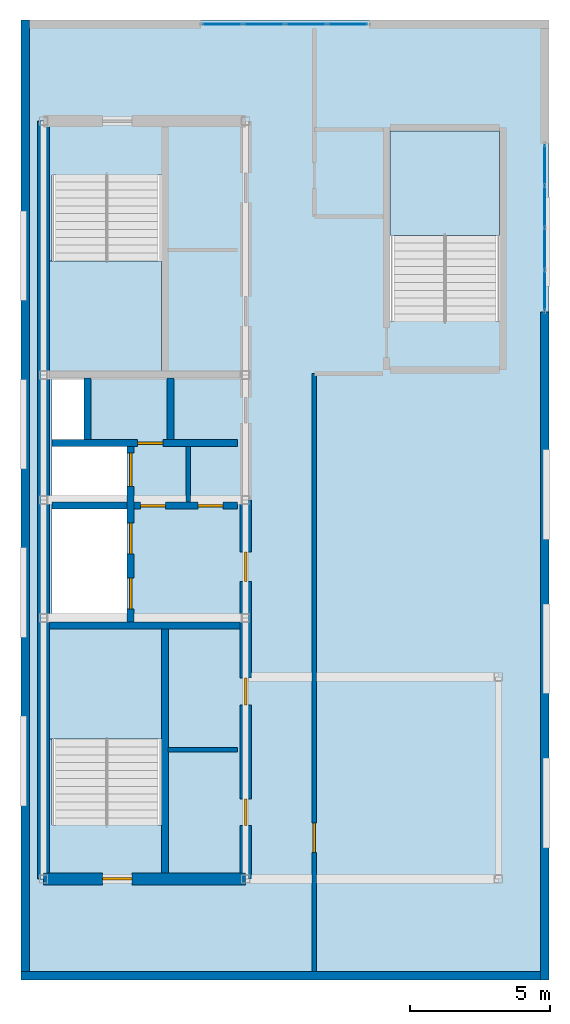
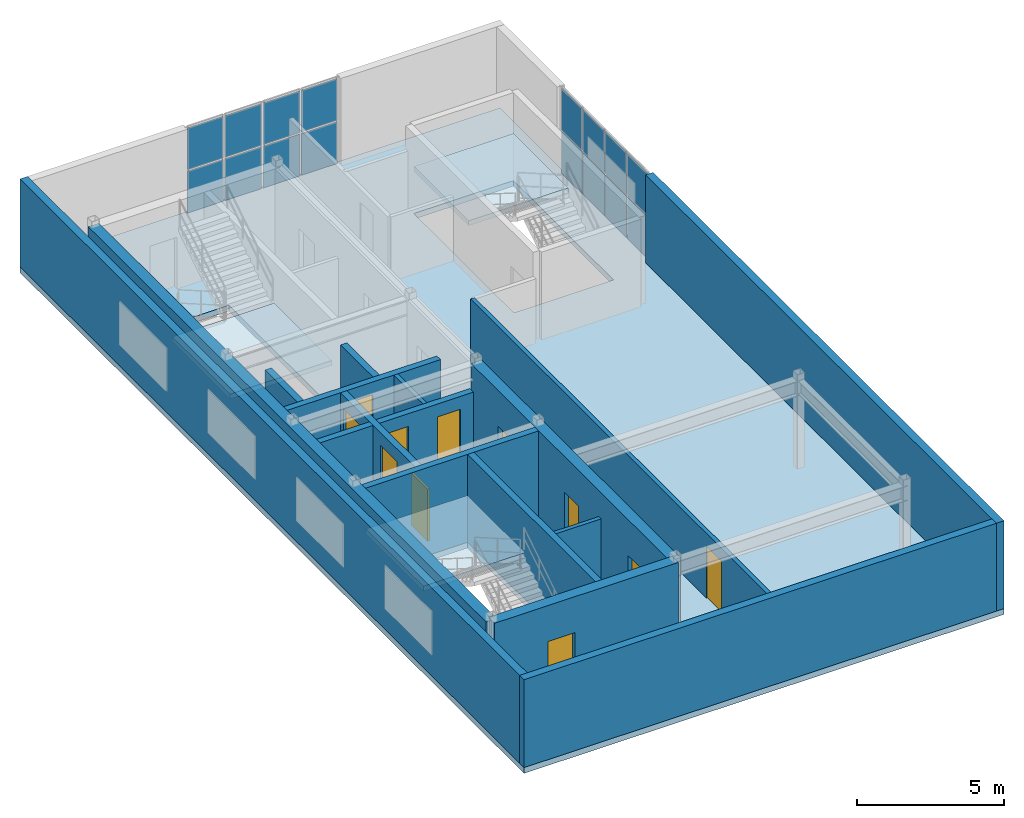
# One storey, part 4 of 6: 16 plates, 16 walls, 11 doors, 4 slabs, 11 openings, 5 elements without a shape of their own.
"""IFC4 building model written with IfcOpenShell, lengths in metres."""

import ifcopenshell
import ifcopenshell.guid

model = None  # the IFC model being written
_history = None  # IfcOwnerHistory: only IFC2X3 demands one
_inside = {}  # id of a spatial element -> (the spatial element, [elements in it])
_under = {}  # id of a project, library or spatial element -> (it, [spatial elements below it])
_declared = {}  # id of a project -> (the project, [libraries it declares])
_typed = {}  # id of a type object -> (the type object, [elements of that type])
_made_of = {}  # id of a material, layer set ... -> (it, [elements and type objects made of it])


def new_model(schema):
    """Start an empty IFC model of exactly this schema.

    Asked for "IFC4X3", IfcOpenShell would pick the latest addendum, in which some entities
    have other attributes; the version numbers below select the first issue.
    IFC2X3 requires an IfcOwnerHistory on every rooted entity: one is made here for all.
    """
    global model, _history
    if schema == "IFC4X3":
        model = ifcopenshell.file(schema_version=(4, 3, 0, 0))
    else:
        model = ifcopenshell.file(schema=schema)
    _inside.clear()
    _under.clear()
    _declared.clear()
    _typed.clear()
    _made_of.clear()
    _history = None
    if model.schema == "IFC2X3":
        org = make("IfcOrganization", Name="unknown")
        user = make(
            "IfcPersonAndOrganization",
            ThePerson=make("IfcPerson", FamilyName="unknown"),
            TheOrganization=org,
        )
        app = make(
            "IfcApplication",
            ApplicationDeveloper=org,
            Version="unknown",
            ApplicationFullName="unknown",
            ApplicationIdentifier="unknown",
        )
        _history = make(
            "IfcOwnerHistory",
            OwningUser=user,
            OwningApplication=app,
            ChangeAction="ADDED",
            CreationDate=0,
        )
    return model


def make(cls, **values):
    """One entity of the class cls with the attributes given. An attribute that is None is left unset."""
    return model.create_entity(
        cls, **{name: value for name, value in values.items() if value is not None}
    )


def entity(cls, *values):
    """Any entity or typed value of the class cls, its attributes in the order of the schema. None: left unset."""
    e = model.create_entity(cls)
    for i, value in enumerate(values):
        if value is not None:
            e[i] = value
    return e


def rooted(cls, **values):
    """An entity with a GlobalId (a new one), such as an element, a storey or a relation."""
    return make(cls, GlobalId=ifcopenshell.guid.new(), OwnerHistory=_history, **values)


def si_unit(unit_type, name, prefix=None):
    """IfcSIUnit, for example si_unit("LENGTHUNIT", "METRE", prefix="MILLI")."""
    return make("IfcSIUnit", UnitType=unit_type, Prefix=prefix, Name=name)


def converted_unit(unit_type, name, factor, base, dimensions=None, offset=None):
    """IfcConversionBasedUnit, such as the inch: factor (a typed value) times the base unit."""
    return make(
        "IfcConversionBasedUnit"
        if offset is None
        else "IfcConversionBasedUnitWithOffset",
        ConversionOffset=offset,
        Dimensions=None
        if dimensions is None
        else entity("IfcDimensionalExponents", *dimensions),
        UnitType=unit_type,
        Name=name,
        ConversionFactor=make(
            "IfcMeasureWithUnit", ValueComponent=factor, UnitComponent=base
        ),
    )


def assignment(units):
    """IfcUnitAssignment: the units of a project."""
    return None if units is None else make("IfcUnitAssignment", Units=units)


def point(xyz):
    """IfcCartesianPoint."""
    return None if xyz is None else make("IfcCartesianPoint", Coordinates=xyz)


def direction(xyz):
    """IfcDirection."""
    return None if xyz is None else make("IfcDirection", DirectionRatios=xyz)


def frame(location, z_axis=None, x_axis=None):
    """IfcAxis2Placement3D, a coordinate frame: its origin and axes. An axis left out is left unset."""
    return make(
        "IfcAxis2Placement3D",
        Location=point(location),
        Axis=direction(z_axis),
        RefDirection=direction(x_axis),
    )


def frame_2d(location, x_axis=None):
    """IfcAxis2Placement2D, a coordinate frame in the plane: its origin and x axis."""
    return make(
        "IfcAxis2Placement2D", Location=point(location), RefDirection=direction(x_axis)
    )


def origin_with_axes():
    """The frame at (0, 0, 0) with the z axis (0, 0, 1) and the x axis (1, 0, 0) written out."""
    return frame((0.0, 0.0, 0.0), z_axis=(0.0, 0.0, 1.0), x_axis=(1.0, 0.0, 0.0))


def origin_2d_with_axis():
    """The frame at (0, 0) in the plane with the x axis (1, 0) written out."""
    return frame_2d((0.0, 0.0), x_axis=(1.0, 0.0))


def place(relative_to, where):
    """IfcLocalPlacement: puts the frame where relative to a parent placement (None: the world)."""
    return make(
        "IfcLocalPlacement", PlacementRelTo=relative_to, RelativePlacement=where
    )


def context(
    kind, dimensions, precision=None, world=None, true_north=None, identifier=None
):
    """IfcGeometricRepresentationContext, for example the 3D "Model" context."""
    return make(
        "IfcGeometricRepresentationContext",
        ContextIdentifier=identifier,
        ContextType=kind,
        CoordinateSpaceDimension=dimensions,
        Precision=precision,
        WorldCoordinateSystem=world,
        TrueNorth=true_north,
    )


def subcontext(parent, identifier, kind, view, scale=None):
    """IfcGeometricRepresentationSubContext, for example "Body" below "Model"."""
    return make(
        "IfcGeometricRepresentationSubContext",
        ContextIdentifier=identifier,
        ContextType=kind,
        ParentContext=parent,
        TargetScale=scale,
        TargetView=view,
    )


def project(units=None, contexts=None):
    """IfcProject with its units and contexts."""
    return rooted(
        "IfcProject",
        Name="project",
        RepresentationContexts=contexts,
        UnitsInContext=assignment(units),
    )


def spatial(cls, under=None, at=None, **own):
    """A site, building, storey or space (cls), placed at a placement, below another one or the project."""
    s = rooted(cls, ObjectPlacement=at, **own)
    if under is not None:
        _under.setdefault(under.id(), (under, []))[1].append(s)
    return s


def polyline(points):
    """IfcPolyline through the points."""
    return make("IfcPolyline", Points=[point(p) for p in points])


def profile(cls, at=None, kind="AREA", **sizes):
    """A parametric profile (cls). Its sizes go by their IFC names, for example OverallWidth=200.0."""
    return make(cls, ProfileType=kind, Position=at, **sizes)


def rectangle(**sizes):
    """IfcRectangleProfileDef."""
    return profile("IfcRectangleProfileDef", **sizes)


def outline(outer, holes=None, kind="AREA"):
    """IfcArbitraryClosedProfileDef: a profile drawn as a closed curve; with holes, ...WithVoids."""
    if holes is None:
        return make("IfcArbitraryClosedProfileDef", ProfileType=kind, OuterCurve=outer)
    return make(
        "IfcArbitraryProfileDefWithVoids",
        ProfileType=kind,
        OuterCurve=outer,
        InnerCurves=holes,
    )


def extrude(swept, where, along, depth):
    """IfcExtrudedAreaSolid: the profile swept, set in the frame where, extruded along a direction by depth."""
    return make(
        "IfcExtrudedAreaSolid",
        SweptArea=swept,
        Position=where,
        ExtrudedDirection=direction(along),
        Depth=depth,
    )


def shape(context_of_items, identifier, shape_type, items):
    """IfcShapeRepresentation: the items that make up one representation, for example the "Body"."""
    return make(
        "IfcShapeRepresentation",
        ContextOfItems=context_of_items,
        RepresentationIdentifier=identifier,
        RepresentationType=shape_type,
        Items=items,
    )


def material(Name=None, Category=None):
    """IfcMaterial."""
    return make("IfcMaterial", Name=Name, Category=Category)


def layer(
    of_material, thickness, ventilated=None, Name=None, Category=None, Priority=None
):
    """IfcMaterialLayer: one layer of a wall or slab, of a material (None: an air gap)."""
    return make(
        "IfcMaterialLayer",
        Material=of_material,
        LayerThickness=thickness,
        IsVentilated=ventilated,
        Name=Name,
        Category=Category,
        Priority=Priority,
    )


def layer_set(layers, Name=None):
    """IfcMaterialLayerSet."""
    return make("IfcMaterialLayerSet", MaterialLayers=layers, LayerSetName=Name)


def made_of(thing, what):
    """Note that an element or type object is made of a material, layer set ...; save() writes the relation."""
    if what is not None:
        _made_of.setdefault(what.id(), (what, []))[1].append(thing)
    return thing


def type_object(cls, material=None, **own):
    """A type object (cls), such as IfcWallType, which elements share."""
    return made_of(rooted(cls, **own), material)


def element(
    cls,
    number,
    at=None,
    inside=None,
    cuts=None,
    type_object=None,
    material=None,
    context=None,
    identifier="Body",
    shape_type=None,
    held_by="IfcProductDefinitionShape",
    body=None,
    shapes=None,
    **own,
):
    """One element of the class cls, such as IfcWall. Its Tag is "e" and its number.

    at: its placement. inside: the storey or other place that contains it. cuts: it is an
    opening in that element (IfcRelVoidsElement). A single representation is given by context,
    identifier, shape_type and body (its items); several are given by shapes. held_by: the class
    of the entity that holds the representations. save() writes the other relations.
    """
    e = rooted(cls, Tag="e%d" % number, ObjectPlacement=at, **own)
    if body is not None:
        shapes = [shape(context, identifier, shape_type, body)]
    if shapes is not None:
        e.Representation = make(held_by, Representations=shapes)
    if inside is not None:
        _inside.setdefault(inside.id(), (inside, []))[1].append(e)
    if cuts is not None:
        rooted(
            "IfcRelVoidsElement", RelatingBuildingElement=cuts, RelatedOpeningElement=e
        )
    if type_object is not None:
        _typed.setdefault(type_object.id(), (type_object, []))[1].append(e)
    return made_of(e, material)


def fill(opening, filler):
    """IfcRelFillsElement: the door or window that sits in an opening."""
    return rooted(
        "IfcRelFillsElement",
        RelatingOpeningElement=opening,
        RelatedBuildingElement=filler,
    )


def aggregate(whole, parts):
    """IfcRelAggregates: a whole, such as a stair, and the parts it consists of."""
    return rooted("IfcRelAggregates", RelatingObject=whole, RelatedObjects=parts)


def save(model, path):
    """Write the relations noted so far, then the file.

    IfcRelAggregates (storeys below a building ...), IfcRelContainedInSpatialStructure (elements
    in a storey), IfcRelDefinesByType, IfcRelAssociatesMaterial and IfcRelDeclares: one each for
    every whole, place, type object, material and project.
    """
    for whole, parts in _under.values():
        aggregate(whole, parts)
    for where, things in _inside.values():
        rooted(
            "IfcRelContainedInSpatialStructure",
            RelatedElements=things,
            RelatingStructure=where,
        )
    for kind, things in _typed.values():
        rooted("IfcRelDefinesByType", RelatedObjects=things, RelatingType=kind)
    for what, things in _made_of.values():
        rooted("IfcRelAssociatesMaterial", RelatedObjects=things, RelatingMaterial=what)
    for by, libraries in _declared.values():
        rooted("IfcRelDeclares", RelatingContext=by, RelatedDefinitions=libraries)
    model.write(path)


model = new_model("IFC4")

# Units and contexts
model_context = context("Model", 3, precision=1e-05, world=origin_with_axes(), true_north=direction((0.0, 1.0)))
body_context = subcontext(model_context, "Body", "Model", "MODEL_VIEW")
ifc_project = project(units=[si_unit("LENGTHUNIT", "METRE"), si_unit("AREAUNIT", "SQUARE_METRE"), si_unit("VOLUMEUNIT", "CUBIC_METRE"), converted_unit("PLANEANGLEUNIT", "DEGREE", entity("IfcPlaneAngleMeasure", 0.017453292519943295), si_unit("PLANEANGLEUNIT", "RADIAN"), dimensions=[0, 0, 0, 0, 0, 0, 0]), si_unit("MASSUNIT", "GRAM", prefix="KILO"), si_unit("THERMODYNAMICTEMPERATUREUNIT", "KELVIN")], contexts=[model_context])

# Site, building, storey
site_placement = place(None, origin_with_axes())
site = spatial("IfcSite", under=ifc_project, at=site_placement, CompositionType="ELEMENT")
building_placement = place(site_placement, origin_with_axes())
building = spatial("IfcBuilding", under=site, at=building_placement, Name="Varnlund Millrace Tower", CompositionType="ELEMENT")
storey_placement = place(building_placement, frame((0.0, 0.0, 328.2), z_axis=(0.0, 0.0, 1.0), x_axis=(1.0, 0.0, 0.0)))
storey = spatial("IfcBuildingStorey", under=building, at=storey_placement, Name="L81", CompositionType="ELEMENT", Elevation=328.2)

# Curtain wall, plates
ifc_material_1 = material(Name="Thermally broken architectural bronze curtain wall", Category="aluminium")
curtain_wall_type = type_object("IfcCurtainWallType", Name="Type-CW-Sys7-CrownLantern", PredefinedType="NOTDEFINED", material=ifc_material_1)
curtain_wall_1_placement = place(storey_placement, frame((29.25, 37.0, 0.0), z_axis=(0.0, 0.0, 1.0), x_axis=(1.0, 0.0, 0.0)))
curtain_wall_1 = element("IfcCurtainWall", 1, at=curtain_wall_1_placement, inside=storey, type_object=curtain_wall_type, Name="Type-CW-Sys7-CrownLantern", PredefinedType="NOTDEFINED")
ifc_material_2 = material(Name="Fritted low-e triple-glazed lantern curtain-wall unit", Category="glass")
ifc_layer_1 = layer(ifc_material_2, 0.032, Name="Fritted low-e triple-glazed lantern curtain-wall unit")
ifc_layer_set_1 = layer_set([ifc_layer_1], Name="Fritted low-e triple-glazed lantern curtain-wall unit")
plate_type = type_object("IfcPlateType", Name="Type-CW-Panel-Clerestory-32", PredefinedType="CURTAIN_PANEL", material=ifc_layer_set_1)
plate_1_placement = place(storey_placement, frame((29.25, 36.23375, 0.065), z_axis=(0.0, 0.0, 1.0), x_axis=(0.0, -1.0, 0.0)))
plate_1 = element("IfcPlate", 2, at=plate_1_placement, type_object=plate_type, Name="CW-07 panel 1.1", PredefinedType="CURTAIN_PANEL", context=body_context, shape_type="SweptSolid", body=[
    extrude(rectangle(XDim=1.4025, YDim=0.032, at=origin_2d_with_axis()), origin_with_axes(), (0.0, 0.0, 1.0), 1.7225),
])
plate_2_placement = place(storey_placement, frame((29.25, 36.23375, 1.8525), z_axis=(0.0, 0.0, 1.0), x_axis=(0.0, -1.0, 0.0)))
plate_2 = element("IfcPlate", 3, at=plate_2_placement, type_object=plate_type, Name="CW-07 panel 1.2", PredefinedType="CURTAIN_PANEL", context=body_context, shape_type="SweptSolid", body=[
    extrude(rectangle(XDim=1.4025, YDim=0.032, at=origin_2d_with_axis()), origin_with_axes(), (0.0, 0.0, 1.0), 1.7225),
])
plate_3_placement = place(storey_placement, frame((29.25, 34.75, 0.065), z_axis=(0.0, 0.0, 1.0), x_axis=(0.0, -1.0, 0.0)))
plate_3 = element("IfcPlate", 4, at=plate_3_placement, type_object=plate_type, Name="CW-07 panel 2.1", PredefinedType="CURTAIN_PANEL", context=body_context, shape_type="SweptSolid", body=[
    extrude(rectangle(XDim=1.435, YDim=0.032, at=origin_2d_with_axis()), origin_with_axes(), (0.0, 0.0, 1.0), 1.7225),
])
plate_4_placement = place(storey_placement, frame((29.25, 34.75, 1.8525), z_axis=(0.0, 0.0, 1.0), x_axis=(0.0, -1.0, 0.0)))
plate_4 = element("IfcPlate", 5, at=plate_4_placement, type_object=plate_type, Name="CW-07 panel 2.2", PredefinedType="CURTAIN_PANEL", context=body_context, shape_type="SweptSolid", body=[
    extrude(rectangle(XDim=1.435, YDim=0.032, at=origin_2d_with_axis()), origin_with_axes(), (0.0, 0.0, 1.0), 1.7225),
])
plate_5_placement = place(storey_placement, frame((29.25, 33.25, 0.065), z_axis=(0.0, 0.0, 1.0), x_axis=(0.0, -1.0, 0.0)))
plate_5 = element("IfcPlate", 6, at=plate_5_placement, type_object=plate_type, Name="CW-07 panel 3.1", PredefinedType="CURTAIN_PANEL", context=body_context, shape_type="SweptSolid", body=[
    extrude(rectangle(XDim=1.435, YDim=0.032, at=origin_2d_with_axis()), origin_with_axes(), (0.0, 0.0, 1.0), 1.7225),
])
plate_6_placement = place(storey_placement, frame((29.25, 33.25, 1.8525), z_axis=(0.0, 0.0, 1.0), x_axis=(0.0, -1.0, 0.0)))
plate_6 = element("IfcPlate", 7, at=plate_6_placement, type_object=plate_type, Name="CW-07 panel 3.2", PredefinedType="CURTAIN_PANEL", context=body_context, shape_type="SweptSolid", body=[
    extrude(rectangle(XDim=1.435, YDim=0.032, at=origin_2d_with_axis()), origin_with_axes(), (0.0, 0.0, 1.0), 1.7225),
])
plate_7_placement = place(storey_placement, frame((29.25, 31.76625, 0.065), z_axis=(0.0, 0.0, 1.0), x_axis=(0.0, -1.0, 0.0)))
plate_7 = element("IfcPlate", 8, at=plate_7_placement, type_object=plate_type, Name="CW-07 panel 4.1", PredefinedType="CURTAIN_PANEL", context=body_context, shape_type="SweptSolid", body=[
    extrude(rectangle(XDim=1.4025, YDim=0.032, at=origin_2d_with_axis()), origin_with_axes(), (0.0, 0.0, 1.0), 1.7225),
])
plate_8_placement = place(storey_placement, frame((29.25, 31.76625, 1.8525), z_axis=(0.0, 0.0, 1.0), x_axis=(0.0, -1.0, 0.0)))
plate_8 = element("IfcPlate", 9, at=plate_8_placement, type_object=plate_type, Name="CW-07 panel 4.2", PredefinedType="CURTAIN_PANEL", context=body_context, shape_type="SweptSolid", body=[
    extrude(rectangle(XDim=1.4025, YDim=0.032, at=origin_2d_with_axis()), origin_with_axes(), (0.0, 0.0, 1.0), 1.7225),
])
aggregate(curtain_wall_1, [plate_1, plate_2, plate_3, plate_4, plate_5, plate_6, plate_7, plate_8])

curtain_wall_2_placement = place(storey_placement, frame((17.0, 41.25, 0.0), z_axis=(0.0, 0.0, 1.0), x_axis=(1.0, 0.0, 0.0)))
curtain_wall_2 = element("IfcCurtainWall", 10, at=curtain_wall_2_placement, inside=storey, type_object=curtain_wall_type, Name="Type-CW-Sys7-CrownLantern", PredefinedType="NOTDEFINED")
plate_9_placement = place(storey_placement, frame((17.76625, 41.25, 0.065), z_axis=(0.0, 0.0, 1.0), x_axis=(1.0, 0.0, 0.0)))
plate_9 = element("IfcPlate", 11, at=plate_9_placement, type_object=plate_type, Name="CW-07 panel 1.1", PredefinedType="CURTAIN_PANEL", context=body_context, shape_type="SweptSolid", body=[
    extrude(rectangle(XDim=1.4025, YDim=0.032, at=origin_2d_with_axis()), origin_with_axes(), (0.0, 0.0, 1.0), 1.7225),
])
plate_10_placement = place(storey_placement, frame((17.76625, 41.25, 1.8525), z_axis=(0.0, 0.0, 1.0), x_axis=(1.0, 0.0, 0.0)))
plate_10 = element("IfcPlate", 12, at=plate_10_placement, type_object=plate_type, Name="CW-07 panel 1.2", PredefinedType="CURTAIN_PANEL", context=body_context, shape_type="SweptSolid", body=[
    extrude(rectangle(XDim=1.4025, YDim=0.032, at=origin_2d_with_axis()), origin_with_axes(), (0.0, 0.0, 1.0), 1.7225),
])
plate_11_placement = place(storey_placement, frame((19.25, 41.25, 0.065), z_axis=(0.0, 0.0, 1.0), x_axis=(1.0, 0.0, 0.0)))
plate_11 = element("IfcPlate", 13, at=plate_11_placement, type_object=plate_type, Name="CW-07 panel 2.1", PredefinedType="CURTAIN_PANEL", context=body_context, shape_type="SweptSolid", body=[
    extrude(rectangle(XDim=1.435, YDim=0.032, at=origin_2d_with_axis()), origin_with_axes(), (0.0, 0.0, 1.0), 1.7225),
])
plate_12_placement = place(storey_placement, frame((19.25, 41.25, 1.8525), z_axis=(0.0, 0.0, 1.0), x_axis=(1.0, 0.0, 0.0)))
plate_12 = element("IfcPlate", 14, at=plate_12_placement, type_object=plate_type, Name="CW-07 panel 2.2", PredefinedType="CURTAIN_PANEL", context=body_context, shape_type="SweptSolid", body=[
    extrude(rectangle(XDim=1.435, YDim=0.032, at=origin_2d_with_axis()), origin_with_axes(), (0.0, 0.0, 1.0), 1.7225),
])
plate_13_placement = place(storey_placement, frame((20.75, 41.25, 0.065), z_axis=(0.0, 0.0, 1.0), x_axis=(1.0, 0.0, 0.0)))
plate_13 = element("IfcPlate", 15, at=plate_13_placement, type_object=plate_type, Name="CW-07 panel 3.1", PredefinedType="CURTAIN_PANEL", context=body_context, shape_type="SweptSolid", body=[
    extrude(rectangle(XDim=1.435, YDim=0.032, at=origin_2d_with_axis()), origin_with_axes(), (0.0, 0.0, 1.0), 1.7225),
])
plate_14_placement = place(storey_placement, frame((20.75, 41.25, 1.8525), z_axis=(0.0, 0.0, 1.0), x_axis=(1.0, 0.0, 0.0)))
plate_14 = element("IfcPlate", 16, at=plate_14_placement, type_object=plate_type, Name="CW-07 panel 3.2", PredefinedType="CURTAIN_PANEL", context=body_context, shape_type="SweptSolid", body=[
    extrude(rectangle(XDim=1.435, YDim=0.032, at=origin_2d_with_axis()), origin_with_axes(), (0.0, 0.0, 1.0), 1.7225),
])
plate_15_placement = place(storey_placement, frame((22.23375, 41.25, 0.065), z_axis=(0.0, 0.0, 1.0), x_axis=(1.0, 0.0, 0.0)))
plate_15 = element("IfcPlate", 17, at=plate_15_placement, type_object=plate_type, Name="CW-07 panel 4.1", PredefinedType="CURTAIN_PANEL", context=body_context, shape_type="SweptSolid", body=[
    extrude(rectangle(XDim=1.4025, YDim=0.032, at=origin_2d_with_axis()), origin_with_axes(), (0.0, 0.0, 1.0), 1.7225),
])
plate_16_placement = place(storey_placement, frame((22.23375, 41.25, 1.8525), z_axis=(0.0, 0.0, 1.0), x_axis=(1.0, 0.0, 0.0)))
plate_16 = element("IfcPlate", 18, at=plate_16_placement, type_object=plate_type, Name="CW-07 panel 4.2", PredefinedType="CURTAIN_PANEL", context=body_context, shape_type="SweptSolid", body=[
    extrude(rectangle(XDim=1.4025, YDim=0.032, at=origin_2d_with_axis()), origin_with_axes(), (0.0, 0.0, 1.0), 1.7225),
])
aggregate(curtain_wall_2, [plate_9, plate_10, plate_11, plate_12, plate_13, plate_14, plate_15, plate_16])

# Slab
ifc_material_3 = material(Name="Concrete C60/75", Category="concrete")
ifc_layer_2 = layer(ifc_material_3, 0.24, Name="Concrete C60/75")
ifc_layer_set_2 = layer_set([ifc_layer_2], Name="Concrete C60/75")
slab_type_1 = type_object("IfcSlabType", Name="Type-Deck-Plate-Typical-240", PredefinedType="FLOOR", material=ifc_layer_set_2)
slab_1_placement = place(storey_placement, frame((0.0, 0.0, -0.24), z_axis=(0.0, 0.0, 1.0), x_axis=(1.0, 0.0, 0.0)))
element("IfcSlab", 19, at=slab_1_placement, inside=storey, type_object=slab_type_1, Name="Type-Deck-Plate-Typical-240", PredefinedType="FLOOR", context=body_context, shape_type="SweptSolid", body=[
    extrude(outline(polyline([(29.4, 7.2), (29.4, 41.4), (10.6, 41.4), (10.6, 7.2), (29.4, 7.2)]), holes=[polyline([(11.7, 19.7), (15.6, 19.7), (15.6, 12.715), (11.7, 12.715), (11.7, 19.7)]), polyline([(11.7, 19.94), (11.7, 23.98), (14.38, 23.98), (14.38, 19.94), (11.7, 19.94)]), polyline([(14.38, 26.2), (14.38, 24.24), (11.7, 24.24), (11.7, 26.2), (14.38, 26.2)]), polyline([(12.84, 28.65), (12.84, 26.46), (11.7, 26.46), (11.7, 28.65), (12.84, 28.65)]), polyline([(15.6, 35.885), (15.6, 28.9), (11.7, 28.9), (11.7, 35.885), (15.6, 35.885)]), polyline([(27.65, 37.45), (27.65, 30.665), (23.75, 30.665), (23.75, 37.45), (27.65, 37.45)])]), origin_with_axes(), (0.0, 0.0, 1.0), 0.24),
])

# Stair, slab
ifc_material_4 = material(Name="Concrete C50/60", Category="concrete")
stair_type = type_object("IfcStairType", Name="Type-Stair-Dogleg-185-390", PredefinedType="HALF_TURN_STAIR", material=ifc_material_4)
stair_1_placement = place(storey_placement, origin_with_axes())
stair_1 = element("IfcStair", 20, at=stair_1_placement, inside=storey, type_object=stair_type, Name="Type-Stair-Dogleg-185-390", PredefinedType="HALF_TURN_STAIR")
ifc_layer_3 = layer(ifc_material_4, 0.2, Name="Concrete C50/60")
ifc_layer_set_3 = layer_set([ifc_layer_3], Name="Concrete C50/60")
slab_type_2 = type_object("IfcSlabType", Name="Type-StairLanding-200", PredefinedType="LANDING", material=ifc_layer_set_3)
slab_2_placement = place(storey_placement, frame((0.0, 0.0, 1.75), z_axis=(0.0, 0.0, 1.0), x_axis=(1.0, 0.0, 0.0)))
slab_2 = element("IfcSlab", 21, at=slab_2_placement, type_object=slab_type_2, Name="ST-A1 landing 1", PredefinedType="LANDING", context=body_context, shape_type="SweptSolid", body=[
    extrude(outline(polyline([(15.6, 15.78), (15.6, 19.7), (11.61, 19.7), (11.61, 15.78), (15.6, 15.78)])), origin_with_axes(), (0.0, 0.0, 1.0), 0.2),
])
aggregate(stair_1, [slab_2])

stair_2_placement = place(storey_placement, origin_with_axes())
stair_2 = element("IfcStair", 22, at=stair_2_placement, inside=storey, type_object=stair_type, Name="Type-Stair-Dogleg-185-390", PredefinedType="HALF_TURN_STAIR")
slab_3_placement = place(storey_placement, frame((0.0, 0.0, 1.75), z_axis=(0.0, 0.0, 1.0), x_axis=(1.0, 0.0, 0.0)))
slab_3 = element("IfcSlab", 23, at=slab_3_placement, type_object=slab_type_2, Name="ST-A2 landing 1", PredefinedType="LANDING", context=body_context, shape_type="SweptSolid", body=[
    extrude(outline(polyline([(11.61, 32.82), (11.61, 28.9), (15.6, 28.9), (15.6, 32.82), (11.61, 32.82)])), origin_with_axes(), (0.0, 0.0, 1.0), 0.2),
])
aggregate(stair_2, [slab_3])

stair_3_placement = place(storey_placement, origin_with_axes())
stair_3 = element("IfcStair", 24, at=stair_3_placement, inside=storey, type_object=stair_type, Name="Type-Stair-Dogleg-185-390", PredefinedType="HALF_TURN_STAIR")
slab_4_placement = place(storey_placement, frame((0.0, 0.0, 1.75), z_axis=(0.0, 0.0, 1.0), x_axis=(1.0, 0.0, 0.0)))
slab_4 = element("IfcSlab", 25, at=slab_4_placement, type_object=slab_type_2, Name="ST-A3 landing 1", PredefinedType="LANDING", context=body_context, shape_type="SweptSolid", body=[
    extrude(outline(polyline([(27.65, 33.73), (27.65, 37.45), (23.75, 37.45), (23.75, 33.73), (27.65, 33.73)])), origin_with_axes(), (0.0, 0.0, 1.0), 0.2),
])
aggregate(stair_3, [slab_4])

# Wall
ifc_layer_4 = layer(ifc_material_3, 0.42, Name="Concrete C60/75")
ifc_layer_set_4 = layer_set([ifc_layer_4], Name="Concrete C60/75")
wall_type_1 = type_object("IfcWallType", Name="Type-CoreWall-Shear-420-C60", PredefinedType="SHEAR", material=ifc_layer_set_4)
wall_1_placement = place(storey_placement, frame((11.4, 10.8, 0.0), z_axis=(0.0, 0.0, 1.0), x_axis=(0.0, 1.0, 0.0)))
element("IfcWall", 26, at=wall_1_placement, inside=storey, type_object=wall_type_1, Name="Type-CoreWall-Shear-420-C60", PredefinedType="SHEAR", context=body_context, shape_type="SweptSolid", body=[
    extrude(outline(polyline([(0.0, -0.21), (27.0, -0.21), (27.0, 0.21), (0.0, 0.21), (0.0, -0.21)])), origin_with_axes(), (0.0, 0.0, 1.0), 3.64),
])

# Wall, opening, door
wall_2_placement = place(storey_placement, frame((11.4, 10.8, 0.0), z_axis=(0.0, 0.0, 1.0), x_axis=(1.0, 0.0, 0.0)))
wall_2 = element("IfcWall", 27, at=wall_2_placement, inside=storey, type_object=wall_type_1, Name="Type-CoreWall-Shear-420-C60", PredefinedType="SHEAR", context=body_context, shape_type="SweptSolid", body=[
    extrude(outline(polyline([(0.0, -0.21), (7.2, -0.21), (7.2, 0.21), (0.0, 0.21), (0.0, -0.21)])), origin_with_axes(), (0.0, 0.0, 1.0), 3.64),
])
opening_1_placement = place(wall_2_placement, frame((2.625, 0.0, 0.0), z_axis=(0.0, 0.0, 1.0), x_axis=(1.0, 0.0, 0.0)))
opening_1 = element("IfcOpeningElement", 28, at=opening_1_placement, cuts=wall_2, Name="Opening L81:DR-STA1", PredefinedType="OPENING", context=body_context, shape_type="SweptSolid", body=[
    extrude(rectangle(XDim=1.05, YDim=0.44, at=origin_2d_with_axis()), origin_with_axes(), (0.0, 0.0, 1.0), 2.15),
])
ifc_material_5 = material(Name="Fire-rated hollow steel door", Category="steel")
door_type_1 = type_object("IfcDoorType", Name="Type-FireDoor-Stair-1050X2150", OperationType="NOTDEFINED", PredefinedType="DOOR", material=ifc_material_5)
door_1_placement = place(wall_2_placement, frame((2.625, 0.0, 0.0), z_axis=(0.0, 0.0, 1.0), x_axis=(1.0, 0.0, 0.0)))
door_1 = element("IfcDoor", 29, at=door_1_placement, inside=storey, type_object=door_type_1, Name="Type-FireDoor-Stair-1050X2150", OperationType="SINGLE_SWING_LEFT", OverallHeight=2.15, OverallWidth=1.05, PredefinedType="DOOR", context=body_context, shape_type="SweptSolid", body=[
    extrude(rectangle(XDim=1.05, YDim=0.09, at=origin_2d_with_axis()), origin_with_axes(), (0.0, 0.0, 1.0), 2.15),
])
fill(opening_1, door_1)

# Wall, openings, doors
wall_3_placement = place(storey_placement, frame((18.6, 10.8, 0.0), z_axis=(0.0, 0.0, 1.0), x_axis=(0.0, 1.0, 0.0)))
wall_3 = element("IfcWall", 30, at=wall_3_placement, inside=storey, type_object=wall_type_1, Name="Type-CoreWall-Shear-420-C60", PredefinedType="SHEAR", context=body_context, shape_type="SweptSolid", body=[
    extrude(outline(polyline([(0.0, -0.21), (13.5, -0.21), (13.5, 0.21), (0.0, 0.21), (0.0, -0.21)])), origin_with_axes(), (0.0, 0.0, 1.0), 3.64),
])
opening_2_placement = place(wall_3_placement, frame((11.125, 0.0, 0.0), z_axis=(0.0, 0.0, 1.0), x_axis=(1.0, 0.0, 0.0)))
opening_2 = element("IfcOpeningElement", 31, at=opening_2_placement, cuts=wall_3, Name="Opening L81:DR-FFLOB-A", PredefinedType="OPENING", context=body_context, shape_type="SweptSolid", body=[
    extrude(rectangle(XDim=1.05, YDim=0.44, at=origin_2d_with_axis()), origin_with_axes(), (0.0, 0.0, 1.0), 2.15),
])
opening_3_placement = place(wall_3_placement, frame((2.375, 0.0, 0.0), z_axis=(0.0, 0.0, 1.0), x_axis=(1.0, 0.0, 0.0)))
opening_3 = element("IfcOpeningElement", 32, at=opening_3_placement, cuts=wall_3, Name="Opening L81:DR-CRN-C1", PredefinedType="OPENING", context=body_context, shape_type="SweptSolid", body=[
    extrude(rectangle(XDim=0.95, YDim=0.44, at=origin_2d_with_axis()), origin_with_axes(), (0.0, 0.0, 1.0), 2.15),
])
opening_4_placement = place(wall_3_placement, frame((6.675, 0.0, 0.0), z_axis=(0.0, 0.0, 1.0), x_axis=(1.0, 0.0, 0.0)))
opening_4 = element("IfcOpeningElement", 33, at=opening_4_placement, cuts=wall_3, Name="Opening L81:DR-CRN-C2", PredefinedType="OPENING", context=body_context, shape_type="SweptSolid", body=[
    extrude(rectangle(XDim=0.95, YDim=0.44, at=origin_2d_with_axis()), origin_with_axes(), (0.0, 0.0, 1.0), 2.15),
])
ifc_material_6 = material(Name="Smoke-barrier hollow steel fire door", Category="steel")
door_type_2 = type_object("IfcDoorType", Name="Type-FireDoor-Lobby-1050X2150", OperationType="NOTDEFINED", PredefinedType="DOOR", material=ifc_material_6)
door_2_placement = place(wall_3_placement, frame((11.125, 0.0, 0.0), z_axis=(0.0, 0.0, 1.0), x_axis=(1.0, 0.0, 0.0)))
door_2 = element("IfcDoor", 34, at=door_2_placement, inside=storey, type_object=door_type_2, Name="Type-FireDoor-Lobby-1050X2150", OperationType="SINGLE_SWING_LEFT", OverallHeight=2.15, OverallWidth=1.05, PredefinedType="DOOR", context=body_context, shape_type="SweptSolid", body=[
    extrude(rectangle(XDim=1.05, YDim=0.09, at=origin_2d_with_axis()), origin_with_axes(), (0.0, 0.0, 1.0), 2.15),
])
fill(opening_2, door_2)
ifc_material_7 = material(Name="Fire-rated hollow steel core service door", Category="steel")
door_type_3 = type_object("IfcDoorType", Name="Type-FireDoor-Service-950X2150", OperationType="NOTDEFINED", PredefinedType="DOOR", material=ifc_material_7)
door_3_placement = place(wall_3_placement, frame((2.375, 0.0, 0.0), z_axis=(0.0, 0.0, 1.0), x_axis=(1.0, 0.0, 0.0)))
door_3 = element("IfcDoor", 35, at=door_3_placement, inside=storey, type_object=door_type_3, Name="Type-FireDoor-Service-950X2150", OperationType="SINGLE_SWING_LEFT", OverallHeight=2.15, OverallWidth=0.95, PredefinedType="DOOR", context=body_context, shape_type="SweptSolid", body=[
    extrude(rectangle(XDim=0.95, YDim=0.09, at=origin_2d_with_axis()), origin_with_axes(), (0.0, 0.0, 1.0), 2.15),
])
fill(opening_3, door_3)
door_4_placement = place(wall_3_placement, frame((6.675, 0.0, 0.0), z_axis=(0.0, 0.0, 1.0), x_axis=(1.0, 0.0, 0.0)))
door_4 = element("IfcDoor", 36, at=door_4_placement, inside=storey, type_object=door_type_3, Name="Type-FireDoor-Service-950X2150", OperationType="SINGLE_SWING_RIGHT", OverallHeight=2.15, OverallWidth=0.95, PredefinedType="DOOR", context=body_context, shape_type="SweptSolid", body=[
    extrude(rectangle(XDim=0.95, YDim=0.09, at=origin_2d_with_axis()), origin_with_axes(), (0.0, 0.0, 1.0), 2.15),
])
fill(opening_4, door_4)

# Walls
ifc_material_8 = material(Name="Precast concrete C50/60", Category="concrete")
ifc_layer_5 = layer(ifc_material_8, 0.3, Name="Precast concrete C50/60")
ifc_layer_set_5 = layer_set([ifc_layer_5], Name="Precast concrete C50/60")
wall_type_2 = type_object("IfcWallType", Name="Type-ExtWall-Precast-Crown-300", PredefinedType="SOLIDWALL", material=ifc_layer_set_5)
wall_4_placement = place(storey_placement, frame((10.75, 7.5, 0.0), z_axis=(0.0, 0.0, 1.0), x_axis=(0.0, 1.0, 0.0)))
element("IfcWall", 37, at=wall_4_placement, inside=storey, type_object=wall_type_2, Name="Type-ExtWall-Precast-Crown-300", PredefinedType="SOLIDWALL", context=body_context, shape_type="SweptSolid", body=[
    extrude(outline(polyline([(0.0, -0.15), (33.9, -0.15), (33.9, 0.15), (0.0, 0.15), (0.0, -0.15)])), origin_with_axes(), (0.0, 0.0, 1.0), 3.64),
])
wall_5_placement = place(storey_placement, frame((29.25, 31.0, 0.0), z_axis=(0.0, 0.0, 1.0), x_axis=(0.0, -1.0, 0.0)))
element("IfcWall", 38, at=wall_5_placement, inside=storey, type_object=wall_type_2, Name="Type-ExtWall-Precast-Crown-300", PredefinedType="SOLIDWALL", context=body_context, shape_type="SweptSolid", body=[
    extrude(outline(polyline([(0.0, -0.15), (23.8, -0.15), (23.8, 0.15), (0.0, 0.15), (0.0, -0.15)])), origin_with_axes(), (0.0, 0.0, 1.0), 3.64),
])
wall_6_placement = place(storey_placement, frame((29.1, 7.35, 0.0), z_axis=(0.0, 0.0, 1.0), x_axis=(-1.0, 0.0, 0.0)))
element("IfcWall", 39, at=wall_6_placement, inside=storey, type_object=wall_type_2, Name="Type-ExtWall-Precast-Crown-300", PredefinedType="SOLIDWALL", context=body_context, shape_type="SweptSolid", body=[
    extrude(outline(polyline([(0.0, -0.15), (18.5, -0.15), (18.5, 0.15), (0.0, 0.15), (0.0, -0.15)])), origin_with_axes(), (0.0, 0.0, 1.0), 3.64),
])
ifc_material_9 = material(Name="Fire-rated gypsum board on cold-formed steel framing", Category="steel")
ifc_layer_6 = layer(ifc_material_9, 0.16, Name="Fire-rated gypsum board on cold-formed steel framing")
ifc_layer_set_6 = layer_set([ifc_layer_6], Name="Fire-rated gypsum board on cold-formed steel framing")
wall_type_3 = type_object("IfcWallType", Name="Type-Partition-Corridor-160", PredefinedType="PARTITIONING", material=ifc_layer_set_6)
wall_7_placement = place(storey_placement, frame((16.55, 24.22, 0.0), z_axis=(0.0, 0.0, 1.0), x_axis=(0.0, 1.0, 0.0)))
element("IfcWall", 40, at=wall_7_placement, inside=storey, type_object=wall_type_3, Name="Type-Partition-Corridor-160", PredefinedType="PARTITIONING", context=body_context, shape_type="SweptSolid", body=[
    extrude(outline(polyline([(0.0, -0.08), (1.98, -0.08), (1.98, 0.08), (0.0, 0.08), (0.0, -0.08)])), origin_with_axes(), (0.0, 0.0, 1.0), 2.68),
])
wall_8_placement = place(storey_placement, frame((15.84, 15.4, 0.0), z_axis=(0.0, 0.0, 1.0), x_axis=(1.0, 0.0, 0.0)))
element("IfcWall", 41, at=wall_8_placement, inside=storey, type_object=wall_type_3, Name="Type-Partition-Corridor-160", PredefinedType="PARTITIONING", context=body_context, shape_type="SweptSolid", body=[
    extrude(outline(polyline([(0.0, -0.08), (2.46, -0.08), (2.46, 0.08), (0.0, 0.08), (0.0, -0.08)])), origin_with_axes(), (0.0, 0.0, 1.0), 2.68),
])

# Wall, opening, door
wall_9_placement = place(storey_placement, frame((21.05, 7.495, 0.0), z_axis=(0.0, 0.0, 1.0), x_axis=(0.0, 1.0, 0.0)))
wall_9 = element("IfcWall", 42, at=wall_9_placement, inside=storey, type_object=wall_type_3, Name="Type-Partition-Corridor-160", PredefinedType="PARTITIONING", context=body_context, shape_type="SweptSolid", body=[
    extrude(outline(polyline([(0.0, -0.08), (21.305, -0.08), (21.305, 0.08), (0.0, 0.08), (0.0, -0.08)])), origin_with_axes(), (0.0, 0.0, 1.0), 2.68),
])
opening_5_placement = place(wall_9_placement, frame((4.78, 0.0, 0.0), z_axis=(0.0, 0.0, 1.0), x_axis=(1.0, 0.0, 0.0)))
opening_5 = element("IfcOpeningElement", 43, at=opening_5_placement, cuts=wall_9, Name="Opening L81:DR-CRN-PLT", PredefinedType="OPENING", context=body_context, shape_type="SweptSolid", body=[
    extrude(rectangle(XDim=1.05, YDim=0.18, at=origin_2d_with_axis()), origin_with_axes(), (0.0, 0.0, 1.0), 2.15),
])
door_5_placement = place(wall_9_placement, frame((4.78, 0.0, 0.0), z_axis=(0.0, 0.0, 1.0), x_axis=(1.0, 0.0, 0.0)))
door_5 = element("IfcDoor", 44, at=door_5_placement, inside=storey, type_object=door_type_2, Name="Type-FireDoor-Lobby-1050X2150", OperationType="SINGLE_SWING_LEFT", OverallHeight=2.15, OverallWidth=1.05, PredefinedType="DOOR", context=body_context, shape_type="SweptSolid", body=[
    extrude(rectangle(XDim=1.05, YDim=0.09, at=origin_2d_with_axis()), origin_with_axes(), (0.0, 0.0, 1.0), 2.15),
])
fill(opening_5, door_5)

# Wall, openings, doors
ifc_layer_7 = layer(ifc_material_3, 0.25, Name="Concrete C60/75")
ifc_layer_set_7 = layer_set([ifc_layer_7], Name="Concrete C60/75")
wall_type_4 = type_object("IfcWallType", Name="Type-ShaftWall-Fire-250", PredefinedType="SOLIDWALL", material=ifc_layer_set_7)
wall_10_placement = place(storey_placement, frame((14.5, 19.95, 0.0), z_axis=(0.0, 0.0, 1.0), x_axis=(0.0, 1.0, 0.0)))
wall_10 = element("IfcWall", 45, at=wall_10_placement, inside=storey, type_object=wall_type_4, Name="Type-ShaftWall-Fire-250", PredefinedType="SOLIDWALL", context=body_context, shape_type="SweptSolid", body=[
    extrude(outline(polyline([(0.0, -0.125), (6.25, -0.125), (6.25, 0.125), (0.0, 0.125), (0.0, -0.125)])), origin_with_axes(), (0.0, 0.0, 1.0), 2.68),
])
opening_6_placement = place(wall_10_placement, frame((1.025, 0.0, 0.0), z_axis=(0.0, 0.0, 1.0), x_axis=(1.0, 0.0, 0.0)))
opening_6 = element("IfcOpeningElement", 46, at=opening_6_placement, cuts=wall_10, Name="Opening L81:LD-FSAE1", PredefinedType="OPENING", context=body_context, shape_type="SweptSolid", body=[
    extrude(rectangle(XDim=1.1, YDim=0.27, at=origin_2d_with_axis()), origin_with_axes(), (0.0, 0.0, 1.0), 2.15),
])
opening_7_placement = place(wall_10_placement, frame((2.975, 0.0, 0.0), z_axis=(0.0, 0.0, 1.0), x_axis=(1.0, 0.0, 0.0)))
opening_7 = element("IfcOpeningElement", 47, at=opening_7_placement, cuts=wall_10, Name="Opening L81:LD-FSAE2", PredefinedType="OPENING", context=body_context, shape_type="SweptSolid", body=[
    extrude(rectangle(XDim=1.1, YDim=0.27, at=origin_2d_with_axis()), origin_with_axes(), (0.0, 0.0, 1.0), 2.15),
])
opening_8_placement = place(wall_10_placement, frame((5.425, 0.0, 0.0), z_axis=(0.0, 0.0, 1.0), x_axis=(1.0, 0.0, 0.0)))
opening_8 = element("IfcOpeningElement", 48, at=opening_8_placement, cuts=wall_10, Name="Opening L81:LD-SRV1", PredefinedType="OPENING", context=body_context, shape_type="SweptSolid", body=[
    extrude(rectangle(XDim=1.2, YDim=0.27, at=origin_2d_with_axis()), origin_with_axes(), (0.0, 0.0, 1.0), 2.15),
])
ifc_material_10 = material(Name="Stainless and architectural bronze sliding landing door")
door_type_4 = type_object("IfcDoorType", Name="Type-LiftLandingDoor-1100X2150", OperationType="NOTDEFINED", PredefinedType="DOOR", material=ifc_material_10)
door_6_placement = place(wall_10_placement, frame((1.025, 0.0, 0.0), z_axis=(0.0, 0.0, 1.0), x_axis=(1.0, 0.0, 0.0)))
door_6 = element("IfcDoor", 49, at=door_6_placement, inside=storey, type_object=door_type_4, Name="Type-LiftLandingDoor-1100X2150", OperationType="SLIDING_TO_LEFT", OverallHeight=2.15, OverallWidth=1.1, PredefinedType="DOOR", context=body_context, shape_type="SweptSolid", body=[
    extrude(rectangle(XDim=1.1, YDim=0.09, at=origin_2d_with_axis()), origin_with_axes(), (0.0, 0.0, 1.0), 2.15),
])
fill(opening_6, door_6)
door_7_placement = place(wall_10_placement, frame((2.975, 0.0, 0.0), z_axis=(0.0, 0.0, 1.0), x_axis=(1.0, 0.0, 0.0)))
door_7 = element("IfcDoor", 50, at=door_7_placement, inside=storey, type_object=door_type_4, Name="Type-LiftLandingDoor-1100X2150", OperationType="SLIDING_TO_RIGHT", OverallHeight=2.15, OverallWidth=1.1, PredefinedType="DOOR", context=body_context, shape_type="SweptSolid", body=[
    extrude(rectangle(XDim=1.1, YDim=0.09, at=origin_2d_with_axis()), origin_with_axes(), (0.0, 0.0, 1.0), 2.15),
])
fill(opening_7, door_7)
ifc_material_11 = material(Name="Heavy-duty freight sliding landing door")
door_type_5 = type_object("IfcDoorType", Name="Type-LiftLandingDoor-Service-1200X2150", OperationType="NOTDEFINED", PredefinedType="DOOR", material=ifc_material_11)
door_8_placement = place(wall_10_placement, frame((5.425, 0.0, 0.0), z_axis=(0.0, 0.0, 1.0), x_axis=(1.0, 0.0, 0.0)))
door_8 = element("IfcDoor", 51, at=door_8_placement, inside=storey, type_object=door_type_5, Name="Type-LiftLandingDoor-Service-1200X2150", OperationType="DOUBLE_DOOR_SLIDING", OverallHeight=2.15, OverallWidth=1.2, PredefinedType="DOOR", context=body_context, shape_type="SweptSolid", body=[
    extrude(rectangle(XDim=1.2, YDim=0.09, at=origin_2d_with_axis()), origin_with_axes(), (0.0, 0.0, 1.0), 2.15),
])
fill(opening_8, door_8)

wall_11_placement = place(storey_placement, frame((11.7, 24.1, 0.0), z_axis=(0.0, 0.0, 1.0), x_axis=(1.0, 0.0, 0.0)))
wall_11 = element("IfcWall", 52, at=wall_11_placement, inside=storey, type_object=wall_type_4, Name="Type-ShaftWall-Fire-250", PredefinedType="SOLIDWALL", context=body_context, shape_type="SweptSolid", body=[
    extrude(outline(polyline([(0.0, -0.125), (6.6, -0.125), (6.6, 0.125), (0.0, 0.125), (0.0, -0.125)])), origin_with_axes(), (0.0, 0.0, 1.0), 2.68),
])
opening_9_placement = place(wall_11_placement, frame((3.6, 0.0, 0.0), z_axis=(0.0, 0.0, 1.0), x_axis=(1.0, 0.0, 0.0)))
opening_9 = element("IfcOpeningElement", 53, at=opening_9_placement, cuts=wall_11, Name="Opening L81:DR-CA-SUB1", PredefinedType="OPENING", context=body_context, shape_type="SweptSolid", body=[
    extrude(rectangle(XDim=0.9, YDim=0.27, at=origin_2d_with_axis()), origin_with_axes(), (0.0, 0.0, 1.0), 2.15),
])
opening_10_placement = place(wall_11_placement, frame((5.65, 0.0, 0.0), z_axis=(0.0, 0.0, 1.0), x_axis=(1.0, 0.0, 0.0)))
opening_10 = element("IfcOpeningElement", 54, at=opening_10_placement, cuts=wall_11, Name="Opening L81:DR-CA-SUB2", PredefinedType="OPENING", context=body_context, shape_type="SweptSolid", body=[
    extrude(rectangle(XDim=0.9, YDim=0.27, at=origin_2d_with_axis()), origin_with_axes(), (0.0, 0.0, 1.0), 2.15),
])
ifc_material_12 = material(Name="Fire-rated hollow steel service closet door", Category="steel")
door_type_6 = type_object("IfcDoorType", Name="Type-FireDoor-Closet-900X2150", OperationType="NOTDEFINED", PredefinedType="DOOR", material=ifc_material_12)
door_9_placement = place(wall_11_placement, frame((3.6, 0.0, 0.0), z_axis=(0.0, 0.0, 1.0), x_axis=(1.0, 0.0, 0.0)))
door_9 = element("IfcDoor", 55, at=door_9_placement, inside=storey, type_object=door_type_6, Name="Type-FireDoor-Closet-900X2150", OperationType="SINGLE_SWING_LEFT", OverallHeight=2.15, OverallWidth=0.9, PredefinedType="DOOR", context=body_context, shape_type="SweptSolid", body=[
    extrude(rectangle(XDim=0.9, YDim=0.09, at=origin_2d_with_axis()), origin_with_axes(), (0.0, 0.0, 1.0), 2.15),
])
fill(opening_9, door_9)
door_10_placement = place(wall_11_placement, frame((5.65, 0.0, 0.0), z_axis=(0.0, 0.0, 1.0), x_axis=(1.0, 0.0, 0.0)))
door_10 = element("IfcDoor", 56, at=door_10_placement, inside=storey, type_object=door_type_6, Name="Type-FireDoor-Closet-900X2150", OperationType="SINGLE_SWING_LEFT", OverallHeight=2.15, OverallWidth=0.9, PredefinedType="DOOR", context=body_context, shape_type="SweptSolid", body=[
    extrude(rectangle(XDim=0.9, YDim=0.09, at=origin_2d_with_axis()), origin_with_axes(), (0.0, 0.0, 1.0), 2.15),
])
fill(opening_10, door_10)

# Wall, opening, door
wall_12_placement = place(storey_placement, frame((11.7, 26.325, 0.0), z_axis=(0.0, 0.0, 1.0), x_axis=(1.0, 0.0, 0.0)))
wall_12 = element("IfcWall", 57, at=wall_12_placement, inside=storey, type_object=wall_type_4, Name="Type-ShaftWall-Fire-250", PredefinedType="SOLIDWALL", context=body_context, shape_type="SweptSolid", body=[
    extrude(outline(polyline([(0.0, -0.125), (6.6, -0.125), (6.6, 0.125), (0.0, 0.125), (0.0, -0.125)])), origin_with_axes(), (0.0, 0.0, 1.0), 2.68),
])
opening_11_placement = place(wall_12_placement, frame((3.5, 0.0, 0.0), z_axis=(0.0, 0.0, 1.0), x_axis=(1.0, 0.0, 0.0)))
opening_11 = element("IfcOpeningElement", 58, at=opening_11_placement, cuts=wall_12, Name="Opening L81:DR-CA-ELC", PredefinedType="OPENING", context=body_context, shape_type="SweptSolid", body=[
    extrude(rectangle(XDim=0.9, YDim=0.27, at=origin_2d_with_axis()), origin_with_axes(), (0.0, 0.0, 1.0), 2.15),
])
door_11_placement = place(wall_12_placement, frame((3.5, 0.0, 0.0), z_axis=(0.0, 0.0, 1.0), x_axis=(1.0, 0.0, 0.0)))
door_11 = element("IfcDoor", 59, at=door_11_placement, inside=storey, type_object=door_type_6, Name="Type-FireDoor-Closet-900X2150", OperationType="SINGLE_SWING_LEFT", OverallHeight=2.15, OverallWidth=0.9, PredefinedType="DOOR", context=body_context, shape_type="SweptSolid", body=[
    extrude(rectangle(XDim=0.9, YDim=0.09, at=origin_2d_with_axis()), origin_with_axes(), (0.0, 0.0, 1.0), 2.15),
])
fill(opening_11, door_11)

# Walls
for number, where, z_axis, x_axis, name in (
    (60, (12.96, 26.45, 0.0), (0.0, 0.0, 1.0), (0.0, 1.0, 0.0), "Type-ShaftWall-Fire-250"),
    (61, (15.925, 26.45, 0.0), (0.0, 0.0, 1.0), (0.0, 1.0, 0.0), "Type-ShaftWall-Fire-250"),
):
    element("IfcWall", number, at=place(storey_placement, frame(where, z_axis=z_axis, x_axis=x_axis)), inside=storey, type_object=wall_type_4, Name=name, PredefinedType="SOLIDWALL", context=body_context, shape_type="SweptSolid", body=[
        extrude(outline(polyline([(0.0, -0.125), (2.2, -0.125), (2.2, 0.125), (0.0, 0.125), (0.0, -0.125)])), origin_with_axes(), (0.0, 0.0, 1.0), 2.68),
    ])
wall_type_5 = type_object("IfcWallType", Name="Type-StairWall-Shear-250", PredefinedType="SHEAR", material=ifc_layer_set_7)
wall_13_placement = place(storey_placement, frame((15.725, 11.01, 0.0), z_axis=(0.0, 0.0, 1.0), x_axis=(0.0, 1.0, 0.0)))
element("IfcWall", 62, at=wall_13_placement, inside=storey, type_object=wall_type_5, Name="Type-StairWall-Shear-250", PredefinedType="SHEAR", context=body_context, shape_type="SweptSolid", body=[
    extrude(outline(polyline([(0.0, -0.125), (8.69, -0.125), (8.69, 0.125), (0.0, 0.125), (0.0, -0.125)])), origin_with_axes(), (0.0, 0.0, 1.0), 3.64),
])
wall_14_placement = place(storey_placement, frame((11.61, 19.825, 0.0), z_axis=(0.0, 0.0, 1.0), x_axis=(1.0, 0.0, 0.0)))
element("IfcWall", 63, at=wall_14_placement, inside=storey, type_object=wall_type_5, Name="Type-StairWall-Shear-250", PredefinedType="SHEAR", context=body_context, shape_type="SweptSolid", body=[
    extrude(outline(polyline([(0.0, -0.125), (6.78, -0.125), (6.78, 0.125), (0.0, 0.125), (0.0, -0.125)])), origin_with_axes(), (0.0, 0.0, 1.0), 3.64),
])

save(model, "model.ifc")
